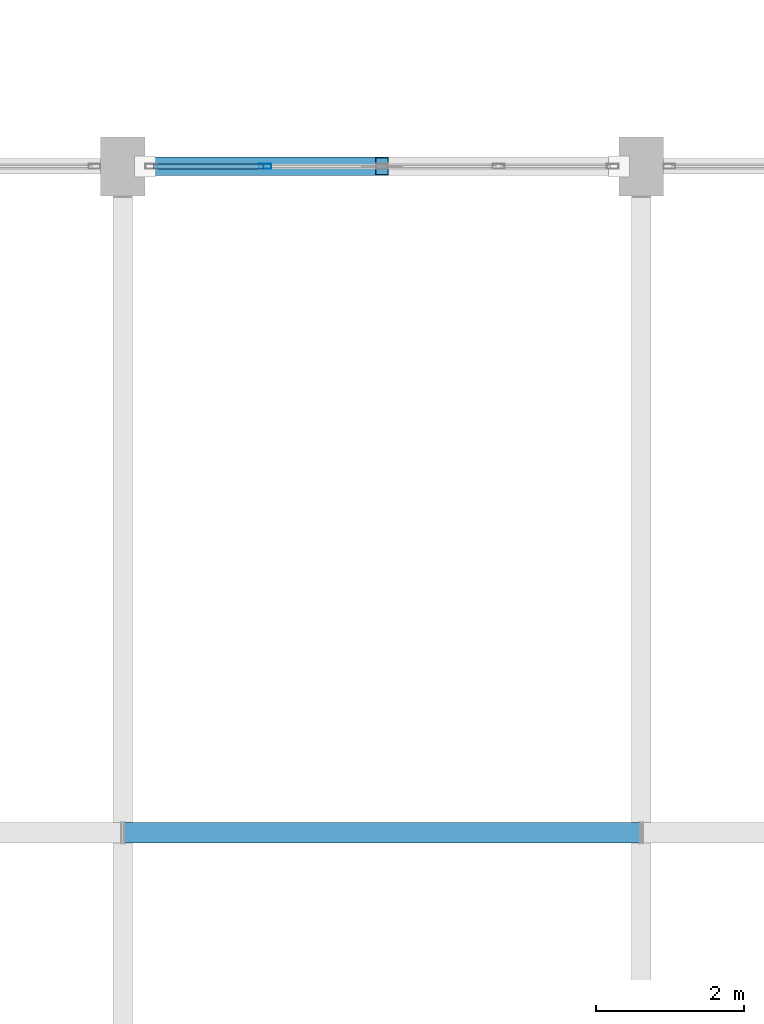
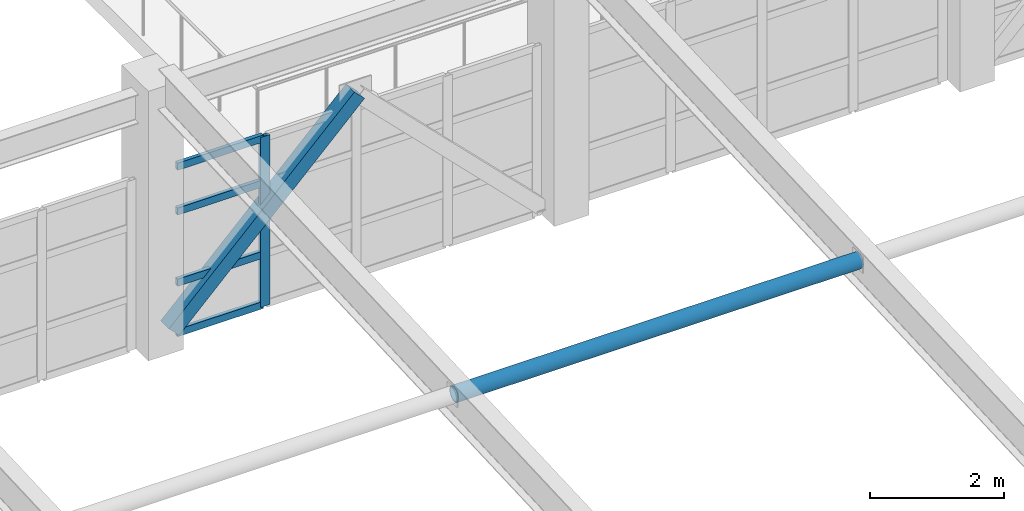
# One storey, part 11 of 150: 7 members, 1 element without a shape of its own.
"""IFC4 building model written with IfcOpenShell, lengths in metres."""

from ifc_helpers import new_model, si_unit, direction, frame, origin, origin_2d, place, context, subcontext, project, spatial, hollow_rectangle, hollow_circle, extrude, material, material_profile, profile_set, type_object, element, aggregate, save


model = new_model("IFC4")

# Units and contexts
model_context = context("Model", 3, precision=1e-05, world=origin(), true_north=direction((0.0, 1.0)))
body_context = subcontext(model_context, "Body", "Model", "MODEL_VIEW")
ifc_project = project(units=[si_unit("LENGTHUNIT", "METRE"), si_unit("AREAUNIT", "SQUARE_METRE"), si_unit("VOLUMEUNIT", "CUBIC_METRE"), si_unit("PLANEANGLEUNIT", "RADIAN"), si_unit("MASSUNIT", "GRAM", prefix="KILO")], contexts=[model_context])

# Site, building, storey
site_placement = place(None, origin())
site = spatial("IfcSite", under=ifc_project, at=site_placement, CompositionType="ELEMENT")
building_placement = place(site_placement, origin())
building = spatial("IfcBuilding", under=site, at=building_placement, Name="Kestramere Prow Commons", CompositionType="ELEMENT")
storey_placement = place(building_placement, frame((0.0, 0.0, 4.5)))
storey = spatial("IfcBuildingStorey", under=building, at=storey_placement, Name="L01", CompositionType="ELEMENT", Elevation=4.5)

# Members
ifc_material_1 = material(Name="Steel S355JR", Category="steel")
ifc_material_profile_1 = material_profile(ifc_material_1, hollow_rectangle(XDim=0.25, YDim=0.25, WallThickness=0.012451171875, at=origin_2d()), Name="SHS 250x250x12.5")
ifc_profile_set_1 = profile_set([ifc_material_profile_1], Name="Steel S355JR")
member_type_1 = type_object("IfcMemberType", Name="BRHL-01 SHS 250x250x12.5", PredefinedType="BRACE", material=ifc_profile_set_1)
member_1_placement = place(storey_placement, frame((16.5, 43.5, 0.14990234375), z_axis=(0.707079807306, 0.0, 0.707133754038), x_axis=(0.0, 1.0, 0.0)))
element("IfcMember", 1, at=member_1_placement, inside=storey, type_object=member_type_1, Name="Community Hall Flank Diagonal Brace L01-3L", PredefinedType="BRACE", context=body_context, shape_type="SweptSolid", body=[
    extrude(hollow_rectangle(XDim=0.25, YDim=0.25, WallThickness=0.012451171875, at=origin_2d()), origin(), (0.0, 0.0, 1.0), 4.525634765625),
])
ifc_material_profile_2 = material_profile(ifc_material_1, hollow_circle(Radius=0.136474609375, WallThickness=0.012451171875, at=origin_2d()), Name="CHS 273x12.5")
ifc_profile_set_2 = profile_set([ifc_material_profile_2], Name="Steel S355JR")
member_type_2 = type_object("IfcMemberType", Name="BRHL-02 CHS 273x12.5", PredefinedType="BRACE", material=ifc_profile_set_2)
member_2_placement = place(storey_placement, frame((16.2080078125, 34.5, 4.50390625), z_axis=(1.0, 0.0, 0.0), x_axis=(0.0, 1.0, 0.0)))
element("IfcMember", 2, at=member_2_placement, inside=storey, type_object=member_type_2, Name="Hall Folded-Roof Tie Strut 3-3", PredefinedType="BRACE", context=body_context, shape_type="SweptSolid", body=[
    extrude(hollow_circle(Radius=0.136474609375, WallThickness=0.012451171875, at=origin_2d()), origin(), (0.0, 0.0, 1.0), 6.98388671875),
])

# Curtain wall, members
ifc_material_2 = material(Name="Anodised Aluminium and Low-E Glass", Category="aluminium")
curtain_wall_type = type_object("IfcCurtainWallType", Name="CW-12 Glazed Curtain Wall 6300x3100", PredefinedType="USERDEFINED", material=ifc_material_2)
curtain_wall_placement = place(storey_placement, origin())
curtain_wall = element("IfcCurtainWall", 3, at=curtain_wall_placement, inside=storey, type_object=curtain_wall_type, Name="Hall North Clerestory Curtain Wall L01-3", ObjectType="GLAZED CURTAIN WALL", PredefinedType="USERDEFINED")
ifc_material_3 = material(Name="Anodised Aluminium 6063-T6", Category="aluminium")
ifc_material_profile_3 = material_profile(ifc_material_3, hollow_rectangle(XDim=0.06494140625, YDim=0.159912109375, WallThickness=0.00390625, at=origin_2d()), Name="ALU-MUL 65x160")
ifc_profile_set_3 = profile_set([ifc_material_profile_3], Name="Anodised Aluminium 6063-T6")
member_type_3 = type_object("IfcMemberType", Name="CW-MUL-65x160", PredefinedType="MULLION", material=ifc_profile_set_3)
member_3_placement = place(storey_placement, frame((18.125, 43.5, 0.0), z_axis=(0.0, 0.0, 1.0), x_axis=(0.0, 1.0, 0.0)))
member_3 = element("IfcMember", 4, at=member_3_placement, type_object=member_type_3, Name="CW-12 mullion 2", PredefinedType="MULLION", context=body_context, shape_type="SweptSolid", body=[
    extrude(hollow_rectangle(XDim=0.06494140625, YDim=0.159912109375, WallThickness=0.00390625, at=origin_2d()), origin(), (0.0, 0.0, 1.0), 3.10009765625),
])
ifc_material_profile_4 = material_profile(ifc_material_3, hollow_rectangle(XDim=0.06494140625, YDim=0.1298828125, WallThickness=0.00390625, at=origin_2d()), Name="ALU-TRN 65x130")
ifc_profile_set_4 = profile_set([ifc_material_profile_4], Name="Anodised Aluminium 6063-T6")
member_type_4 = type_object("IfcMemberType", Name="CW-TRN-65x130", PredefinedType="USERDEFINED", material=ifc_profile_set_4)
member_4_placement = place(storey_placement, frame((16.614990234375, 43.5, 0.032470703125), z_axis=(1.0, 0.0, 0.0), x_axis=(0.0, 1.0, 0.0)))
member_4 = element("IfcMember", 5, at=member_4_placement, type_object=member_type_4, Name="CW-12 transom 1.1", ObjectType="TRANSOM", PredefinedType="USERDEFINED", context=body_context, shape_type="SweptSolid", body=[
    extrude(hollow_rectangle(XDim=0.06494140625, YDim=0.1298828125, WallThickness=0.00390625, at=origin_2d()), origin(), (0.0, 0.0, 1.0), 1.4775390625),
])
member_5_placement = place(storey_placement, frame((16.614990234375, 43.5, 0.949951171875), z_axis=(1.0, 0.0, 0.0), x_axis=(0.0, 1.0, 0.0)))
member_5 = element("IfcMember", 6, at=member_5_placement, type_object=member_type_4, Name="CW-12 transom 1.2", ObjectType="TRANSOM", PredefinedType="USERDEFINED", context=body_context, shape_type="SweptSolid", body=[
    extrude(hollow_rectangle(XDim=0.06494140625, YDim=0.1298828125, WallThickness=0.00390625, at=origin_2d()), origin(), (0.0, 0.0, 1.0), 1.4775390625),
])
member_6_placement = place(storey_placement, frame((16.614990234375, 43.5, 2.25), z_axis=(1.0, 0.0, 0.0), x_axis=(0.0, 1.0, 0.0)))
member_6 = element("IfcMember", 7, at=member_6_placement, type_object=member_type_4, Name="CW-12 transom 1.3", ObjectType="TRANSOM", PredefinedType="USERDEFINED", context=body_context, shape_type="SweptSolid", body=[
    extrude(hollow_rectangle(XDim=0.06494140625, YDim=0.1298828125, WallThickness=0.00390625, at=origin_2d()), origin(), (0.0, 0.0, 1.0), 1.4775390625),
])
member_7_placement = place(storey_placement, frame((16.614990234375, 43.5, 3.0673828125), z_axis=(1.0, 0.0, 0.0), x_axis=(0.0, 1.0, 0.0)))
member_7 = element("IfcMember", 8, at=member_7_placement, type_object=member_type_4, Name="CW-12 transom 1.4", ObjectType="TRANSOM", PredefinedType="USERDEFINED", context=body_context, shape_type="SweptSolid", body=[
    extrude(hollow_rectangle(XDim=0.06494140625, YDim=0.1298828125, WallThickness=0.00390625, at=origin_2d()), origin(), (0.0, 0.0, 1.0), 1.4775390625),
])
aggregate(curtain_wall, [member_3, member_4, member_5, member_6, member_7])

save(model, "model.ifc")
